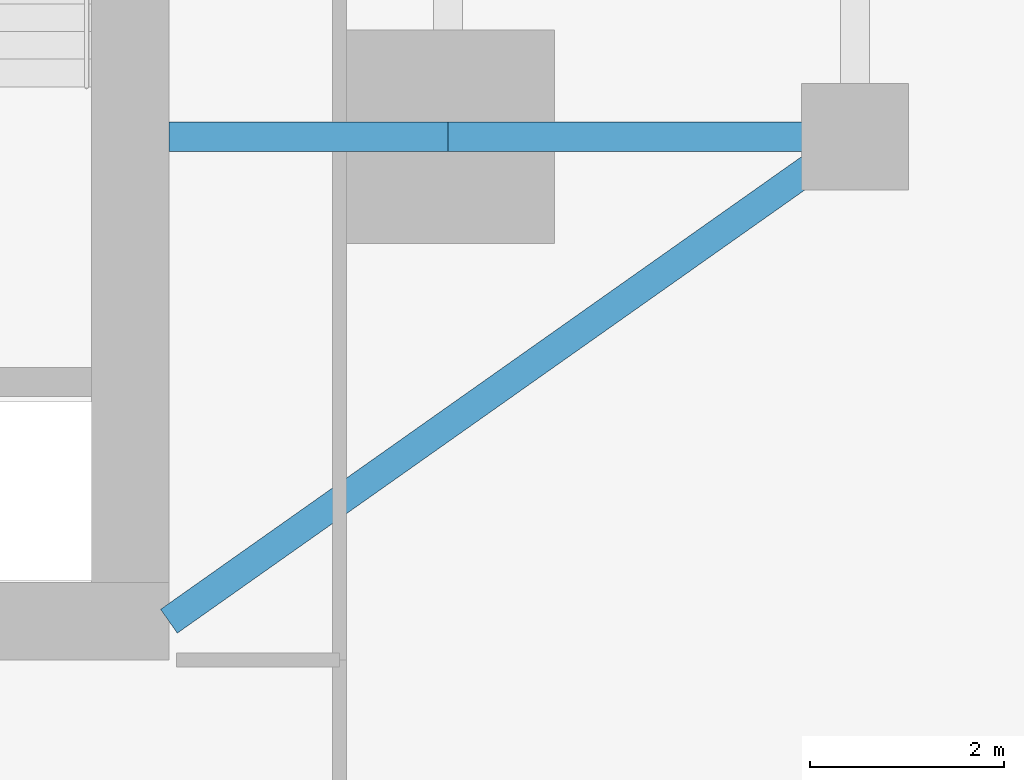
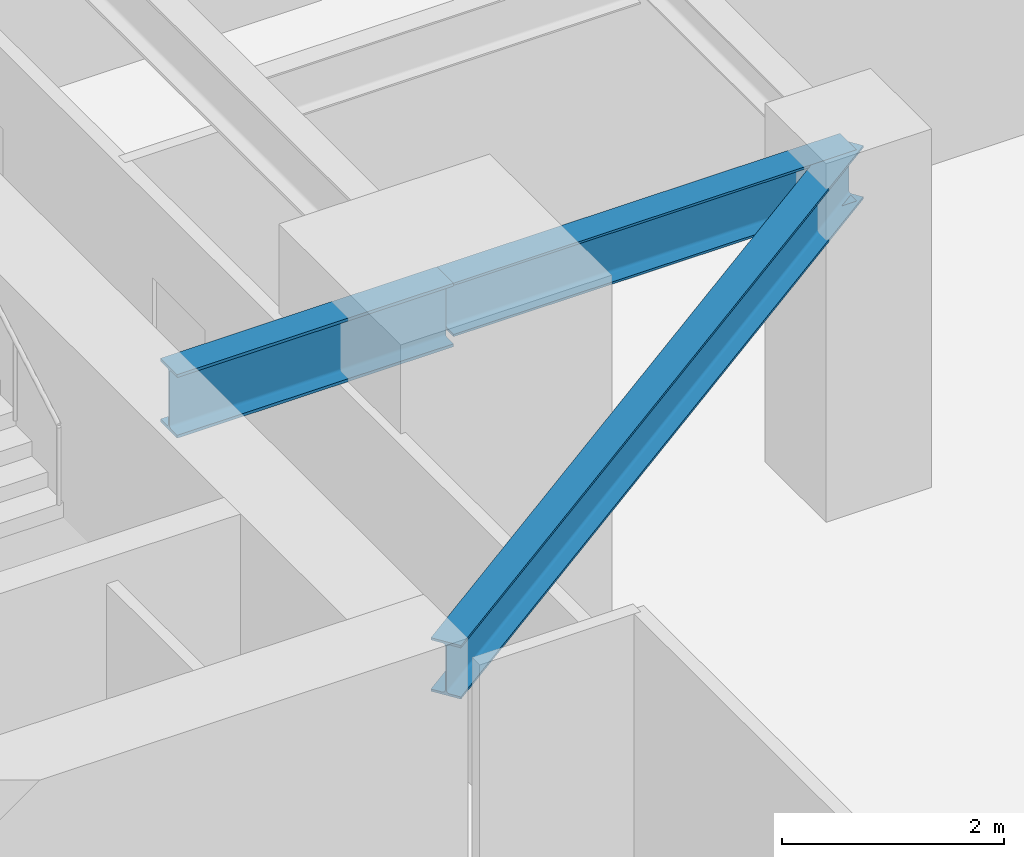
# One storey, part 13 of 30: 3 beams.
"""IFC4 building model written with IfcOpenShell, lengths in metres."""

from ifc_helpers import new_model, si_unit, direction, frame, origin, origin_2d, place, context, subcontext, project, spatial, i_section, extrude, source, transform, mapped, material, material_profile, profile_set, type_object, type_shapes, element, save


model = new_model("IFC4")

# Units and contexts
model_context = context("Model", 3, precision=1e-05, world=origin(), true_north=direction((0.0, 1.0)))
body_context = subcontext(model_context, "Body", "Model", "MODEL_VIEW")
ifc_project = project(units=[si_unit("LENGTHUNIT", "METRE"), si_unit("AREAUNIT", "SQUARE_METRE"), si_unit("VOLUMEUNIT", "CUBIC_METRE"), si_unit("PLANEANGLEUNIT", "RADIAN"), si_unit("MASSUNIT", "GRAM", prefix="KILO")], contexts=[model_context])

# Site, building, storey
site_placement = place(None, origin())
site = spatial("IfcSite", under=ifc_project, at=site_placement, CompositionType="ELEMENT")
building_placement = place(site_placement, origin())
building = spatial("IfcBuilding", under=site, at=building_placement, Name="Krantzveldt Concourse Tower", CompositionType="ELEMENT")
storey_placement = place(building_placement, frame((0.0, 0.0, 44.75)))
storey = spatial("IfcBuildingStorey", under=building, at=storey_placement, Name="L10", CompositionType="ELEMENT", Elevation=44.75)

# Beams
ifc_material_1 = material(Name="Steel S355J2", Category="steel")
ifc_material_profile_1 = material_profile(ifc_material_1, i_section(OverallWidth=0.300048828125, OverallDepth=0.699951171875, WebThickness=0.01708984375, FlangeThickness=0.031982421875, FilletRadius=0.027099609375, at=origin_2d()), Name="Steel S355J2", Category="steel")
ifc_profile_set_1 = profile_set([ifc_material_profile_1], Name="Steel S355J2 - HEB 700")
beam_type_1 = type_object("IfcBeamType", Name="BM-B-HEB700", PredefinedType="BEAM", material=ifc_profile_set_1)
shared_shape_1 = source(origin(), body_context, "Body", "SweptSolid", [
    extrude(i_section(OverallWidth=0.300048828125, OverallDepth=0.699951171875, WebThickness=0.01708984375, FlangeThickness=0.031982421875, FilletRadius=0.027099609375, at=origin_2d()), origin(), (0.0, 0.0, 1.0), 2.880126953125),
])
type_shapes(beam_type_1, [shared_shape_1])
beam_1_placement = place(storey_placement, frame((43.919921875, 15.89990234375, 3.320068359375), z_axis=(1.0, 0.0, 0.0), x_axis=(0.0, 1.0, 0.0)))
element("IfcBeam", 1, at=beam_1_placement, inside=storey, type_object=beam_type_1, Name="L10 Tower Girder BG-CE1", PredefinedType="BEAM", context=body_context, shape_type="MappedRepresentation", body=[
    mapped(shared_shape_1, transform((0.0, 0.0, 0.0), x_axis=(1.0, 0.0, 0.0), y_axis=(0.0, 1.0, 0.0), z_axis=(0.0, 0.0, 1.0), scale=1.0)),
])
ifc_material_2 = material(Name="Steel S355JR", Category="steel")
ifc_material_profile_2 = material_profile(ifc_material_2, i_section(OverallWidth=0.300048828125, OverallDepth=0.590087890625, WebThickness=0.012939453125, FlangeThickness=0.02490234375, FilletRadius=0.027099609375, at=origin_2d()), Name="Steel S355JR", Category="steel")
ifc_profile_set_2 = profile_set([ifc_material_profile_2], Name="Steel S355JR - HEA 600")
beam_type_2 = type_object("IfcBeamType", Name="BM-B-HEA600", PredefinedType="BEAM", material=ifc_profile_set_2)
shared_shape_2 = source(origin(), body_context, "Body", "SweptSolid", [
    extrude(i_section(OverallWidth=0.300048828125, OverallDepth=0.590087890625, WebThickness=0.012939453125, FlangeThickness=0.02490234375, FilletRadius=0.027099609375, at=origin_2d()), origin(), (0.0, 0.0, 1.0), 4.199951171875),
])
beam_2_placement = place(storey_placement, frame((46.800048828125, 15.89990234375, 3.375), z_axis=(1.0, 0.0, 0.0), x_axis=(0.0, 1.0, 0.0)))
element("IfcBeam", 2, at=beam_2_placement, inside=storey, type_object=beam_type_2, Name="L10 Tower Girder BR-RR1", PredefinedType="BEAM", context=body_context, shape_type="MappedRepresentation", body=[
    mapped(shared_shape_2, transform((0.0, 0.0, 0.0), x_axis=(1.0, 0.0, 0.0), y_axis=(0.0, 1.0, 0.0), z_axis=(0.0, 0.0, 1.0), scale=1.0)),
])
shared_shape_3 = source(origin(), body_context, "Body", "SweptSolid", [
    extrude(i_section(OverallWidth=0.300048828125, OverallDepth=0.590087890625, WebThickness=0.012939453125, FlangeThickness=0.02490234375, FilletRadius=0.027099609375, at=origin_2d()), origin(), (0.0, 0.0, 1.0), 8.667724609375),
])
type_shapes(beam_type_2, [shared_shape_2, shared_shape_3])
beam_3_placement = place(storey_placement, frame((51.0, 15.89990234375, 3.375), z_axis=(-0.81684294656, -0.576860122261, 0.0), x_axis=(0.576860122261, -0.81684294656, 0.0)))
element("IfcBeam", 3, at=beam_3_placement, inside=storey, type_object=beam_type_2, Name="L10 Tower Girder BR-CSE", PredefinedType="BEAM", context=body_context, shape_type="MappedRepresentation", body=[
    mapped(shared_shape_3, transform((0.0, 0.0, 0.0), x_axis=(1.0, 0.0, 0.0), y_axis=(0.0, 1.0, 0.0), z_axis=(0.0, 0.0, 1.0), scale=1.0)),
])

save(model, "model.ifc")
